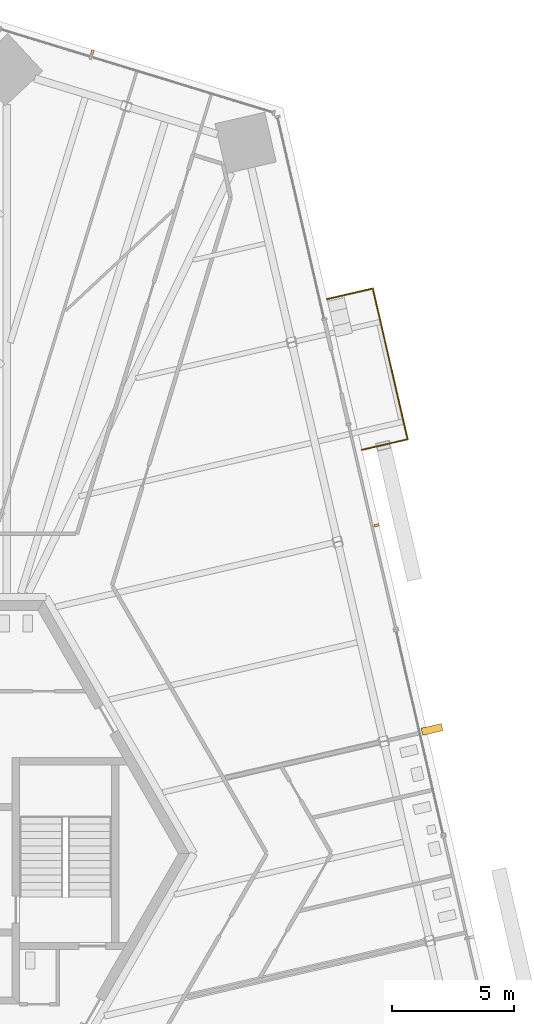
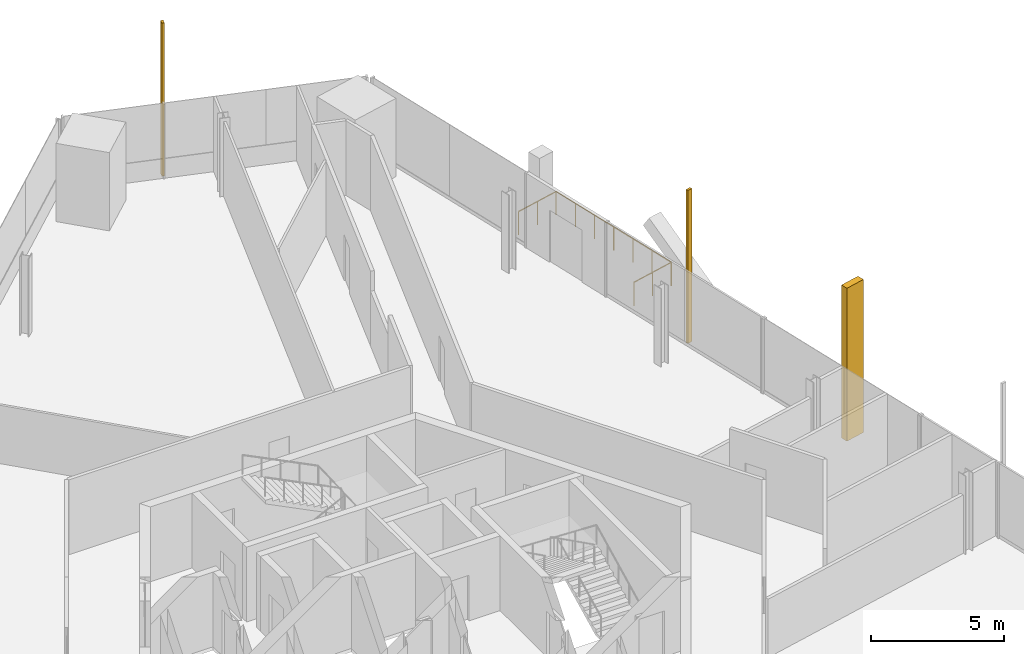
# One storey, part 18 of 21: 3 shading devices, 1 railing.
"""IFC4 building model written with IfcOpenShell, lengths in metres."""

from ifc_helpers import new_model, si_unit, direction, frame, origin, origin_2d, place, context, subcontext, project, spatial, rectangle, circle, extrude, source, transform, mapped, material, type_object, element, save


model = new_model("IFC4")

# Units and contexts
model_context = context("Model", 3, precision=1e-05, world=origin(), true_north=direction((0.0, 1.0)))
body_context = subcontext(model_context, "Body", "Model", "MODEL_VIEW")
ifc_project = project(units=[si_unit("LENGTHUNIT", "METRE"), si_unit("AREAUNIT", "SQUARE_METRE"), si_unit("VOLUMEUNIT", "CUBIC_METRE"), si_unit("PLANEANGLEUNIT", "RADIAN"), si_unit("MASSUNIT", "GRAM", prefix="KILO")], contexts=[model_context])

# Site, building, storey
site_placement = place(None, origin())
site = spatial("IfcSite", under=ifc_project, at=site_placement, CompositionType="ELEMENT")
building_placement = place(site_placement, origin())
building = spatial("IfcBuilding", under=site, at=building_placement, Name="Triune Harvest Tower", CompositionType="ELEMENT")
storey_placement = place(building_placement, frame((0.0, 0.0, 119.89990234375)))
storey = spatial("IfcBuildingStorey", under=building, at=storey_placement, Name="L30", CompositionType="ELEMENT", Elevation=119.89990234375)

# Railing
ifc_material_1 = material(Name="Glass", Category="glass")
railing_type = type_object("IfcRailingType", Name="GD-2 balcony guard 1100", PredefinedType="GUARDRAIL", material=ifc_material_1)
railing_placement = place(storey_placement, frame((19.08154296875, 16.589111328125, 0.0)))
element("IfcRailing", 1, at=railing_placement, inside=storey, type_object=railing_type, Name="Balcony guard B3-F1 L30.10", PredefinedType="GUARDRAIL", context=body_context, shape_type="SweptSolid", body=[
    extrude(circle(Radius=0.02392578125, at=origin_2d()), frame((0.0, 0.0, 1.076171875), z_axis=(0.9743570968, 0.225007217476, 0.0), x_axis=(-0.225007217476, 0.9743570968, 0.0)), (0.0, 0.0, 1.0), 1.931396484375),
    extrude(circle(Radius=0.02392578125, at=origin_2d()), frame((1.8818359375, 0.4345703125, 1.076171875), z_axis=(-0.224960352688, 0.974367918047, 0.0), x_axis=(-0.974367918047, -0.224960352688, 0.0)), (0.0, 0.0, 1.0), 6.364990234375),
    extrude(circle(Radius=0.02392578125, at=origin_2d()), frame((0.449951171875, 6.636474609375, 1.076171875), z_axis=(-0.974384803676, -0.224887203651, 0.0), x_axis=(0.224887203651, -0.974384803676, 0.0)), (0.0, 0.0, 1.0), 1.931396484375),
    extrude(circle(Radius=0.02099609375, at=origin_2d()), origin(), (0.0, 0.0, 1.0), 1.052001953125),
    extrude(circle(Radius=0.02099609375, at=origin_2d()), frame((0.94091796875, 0.21728515625, 0.0)), (0.0, 0.0, 1.0), 1.052001953125),
    extrude(circle(Radius=0.02099609375, at=origin_2d()), frame((1.8818359375, 0.4345703125, 0.0)), (0.0, 0.0, 1.0), 1.052001953125),
    extrude(circle(Radius=0.02099609375, at=origin_2d()), frame((1.64306640625, 1.46826171875, 0.0)), (0.0, 0.0, 1.0), 1.052001953125),
    extrude(circle(Radius=0.02099609375, at=origin_2d()), frame((1.404541015625, 2.501953125, 0.0)), (0.0, 0.0, 1.0), 1.052001953125),
    extrude(circle(Radius=0.02099609375, at=origin_2d()), frame((1.166015625, 3.53564453125, 0.0)), (0.0, 0.0, 1.0), 1.052001953125),
    extrude(circle(Radius=0.02099609375, at=origin_2d()), frame((0.92724609375, 4.569091796875, 0.0)), (0.0, 0.0, 1.0), 1.052001953125),
    extrude(circle(Radius=0.02099609375, at=origin_2d()), frame((0.6884765625, 5.602783203125, 0.0)), (0.0, 0.0, 1.0), 1.052001953125),
    extrude(circle(Radius=0.02099609375, at=origin_2d()), frame((0.449951171875, 6.636474609375, 0.0)), (0.0, 0.0, 1.0), 1.052001953125),
    extrude(circle(Radius=0.02099609375, at=origin_2d()), frame((-0.490966796875, 6.41943359375, 0.0)), (0.0, 0.0, 1.0), 1.052001953125),
    extrude(circle(Radius=0.02099609375, at=origin_2d()), frame((-1.431884765625, 6.2021484375, 0.0)), (0.0, 0.0, 1.0), 1.052001953125),
])

# Shading devices
ifc_material_2 = material(Name="Aluminium bronze anodised", Category="aluminium")
shared_shape_1 = source(origin(), body_context, "Body", "SweptSolid", [
    extrude(rectangle(XDim=0.10009765625, YDim=0.199951171875, at=origin_2d()), origin(), (0.0, 0.0, 1.0), 7.0400390625),
])
for number, where, z_axis, x_axis, name in (
    (2, (19.69384765625, 13.49267578125, 0.0), (0.0, 0.0, 1.0), (-0.22495121687, 0.974370027263, 0.0), "FN-1 fin B3-F1.9 L30"),
    (3, (8.003662109375, 32.931640625, 0.0), (0.0, 0.0, 1.0), (-0.956303148607, 0.292376962095, 0.0), "FN-1 fin B3-F2.3 L30"),
):
    element("IfcShadingDevice", number, at=place(storey_placement, frame(where, z_axis=z_axis, x_axis=x_axis)), inside=storey, material=ifc_material_2, Name=name, ObjectType="FIN", PredefinedType="USERDEFINED", context=body_context, shape_type="MappedRepresentation", body=[
        mapped(shared_shape_1, transform((0.0, 0.0, 0.0), scale=1.0)),
    ])
shared_shape_2 = source(origin(), body_context, "Body", "SweptSolid", [
    extrude(rectangle(XDim=0.300048828125, YDim=0.85009765625, at=origin_2d()), origin(), (0.0, 0.0, 1.0), 7.0400390625),
])
shading_device_placement = place(storey_placement, frame((21.964599609375, 5.1015625, 0.0), z_axis=(0.0, 0.0, 1.0), x_axis=(-0.22495121687, 0.974370027263, 0.0)))
element("IfcShadingDevice", 4, at=shading_device_placement, inside=storey, material=ifc_material_2, Name="FN-2 fin B3-F1.7 L30", ObjectType="FIN", PredefinedType="USERDEFINED", context=body_context, shape_type="MappedRepresentation", body=[
    mapped(shared_shape_2, transform((0.0, 0.0, 0.0), scale=1.0)),
])

save(model, "model.ifc")
